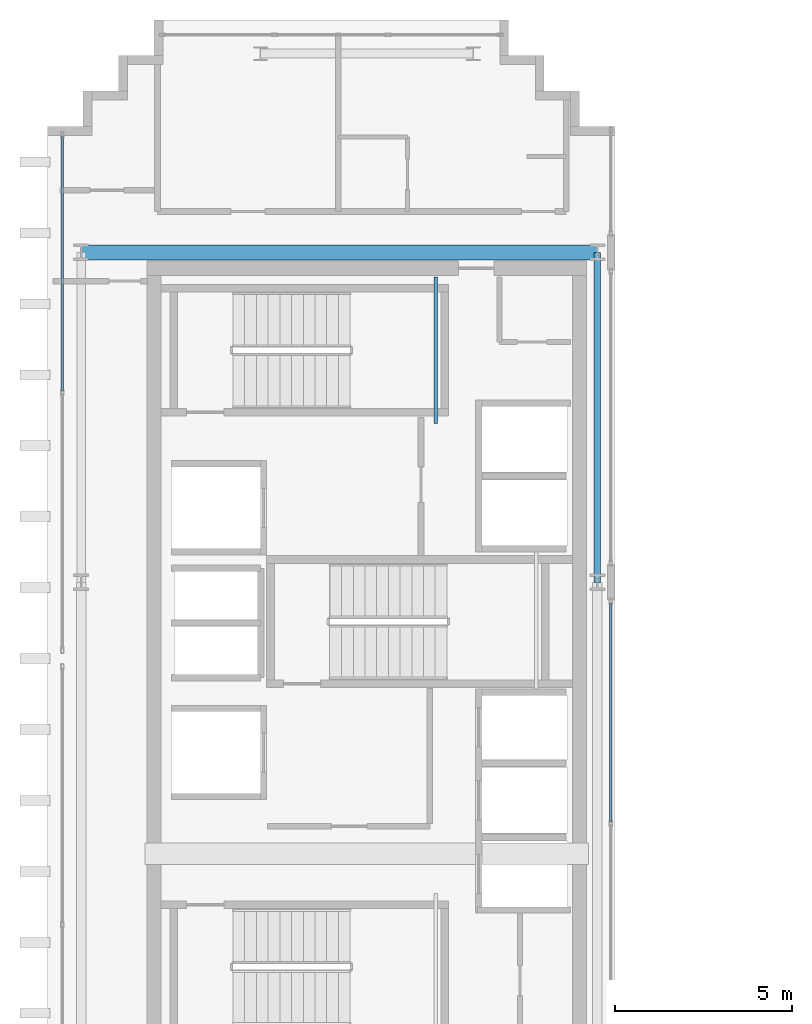
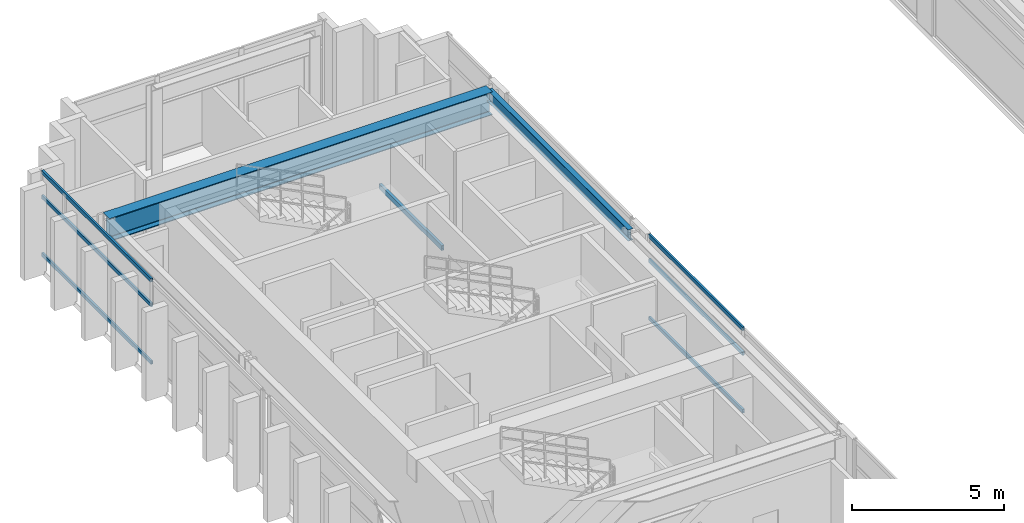
# One storey, part 6 of 25: 6 members, 3 beams, 2 elements without a shape of their own.
"""IFC4 building model written with IfcOpenShell, lengths in metres."""

from ifc_helpers import new_model, si_unit, direction, frame, origin, origin_2d, place, context, subcontext, project, spatial, hollow_rectangle, i_section, extrude, source, transform, mapped, material, layer, layer_set, material_profile, profile_set, type_object, element, aggregate, save


model = new_model("IFC4")

# Units and contexts
model_context = context("Model", 3, precision=1e-05, world=origin(), true_north=direction((0.0, 1.0)))
body_context = subcontext(model_context, "Body", "Model", "MODEL_VIEW")
ifc_project = project(units=[si_unit("LENGTHUNIT", "METRE"), si_unit("AREAUNIT", "SQUARE_METRE"), si_unit("VOLUMEUNIT", "CUBIC_METRE"), si_unit("PLANEANGLEUNIT", "RADIAN"), si_unit("MASSUNIT", "GRAM", prefix="KILO")], contexts=[model_context])

# Site, building, storey
site_placement = place(None, origin())
site = spatial("IfcSite", under=ifc_project, at=site_placement, CompositionType="ELEMENT")
building_placement = place(site_placement, origin())
building = spatial("IfcBuilding", under=site, at=building_placement, Name="Ocotamira Hotel", CompositionType="ELEMENT")
storey_placement = place(building_placement, frame((0.0, 0.0, 261.60009765625)))
storey = spatial("IfcBuildingStorey", under=building, at=storey_placement, Name="L66", CompositionType="ELEMENT", Elevation=261.60009765625)

# Beams
ifc_material_1 = material(Name="Steel ASTM A500 Grade C", Category="steel")
ifc_material_profile_1 = material_profile(ifc_material_1, hollow_rectangle(XDim=0.10009765625, YDim=0.199951171875, WallThickness=0.008056640625, at=origin_2d()), Name="HSS200X100X8")
ifc_profile_set_1 = profile_set([ifc_material_profile_1], Name="Steel ASTM A500 Grade C")
beam_type_1 = type_object("IfcBeamType", Name="BM-STLDG-HSS200", PredefinedType="BEAM", material=ifc_profile_set_1)
shared_shape_1 = source(origin(), body_context, "Body", "SweptSolid", [
    extrude(hollow_rectangle(XDim=0.10009765625, YDim=0.199951171875, WallThickness=0.008056640625, at=origin_2d()), origin(), (0.0, 0.0, 1.0), 4.1201171875),
])
beam_1_placement = place(storey_placement, frame((18.949951171875, 32.6298828125, 1.5), z_axis=(0.0, 1.0, 0.0), x_axis=(-1.0, 0.0, 0.0)))
element("IfcBeam", 1, at=beam_1_placement, inside=storey, type_object=beam_type_1, Name="L66 Stair ST-2 Landing Bearer 1", PredefinedType="BEAM", context=body_context, shape_type="MappedRepresentation", body=[
    mapped(shared_shape_1, transform((0.0, 0.0, 0.0), scale=1.0)),
])
ifc_material_2 = material(Name="Steel ASTM A992 Grade 50", Category="steel")
ifc_material_profile_2 = material_profile(ifc_material_2, i_section(OverallWidth=0.41796875, OverallDepth=0.927001953125, WebThickness=0.019287109375, FlangeThickness=0.031982421875, FilletRadius=0.02392578125, at=origin_2d()), Name="W36X231")
ifc_profile_set_2 = profile_set([ifc_material_profile_2], Name="Steel ASTM A992 Grade 50")
beam_type_2 = type_object("IfcBeamType", Name="BM-GIRD-W36X231", PredefinedType="BEAM", material=ifc_profile_set_2)
shared_shape_2 = source(origin(), body_context, "Body", "SweptSolid", [
    extrude(i_section(OverallWidth=0.41796875, OverallDepth=0.927001953125, WebThickness=0.019287109375, FlangeThickness=0.031982421875, FilletRadius=0.02392578125, at=origin_2d()), origin(), (0.0, 0.0, 1.0), 14.550048828125),
])
beam_2_placement = place(storey_placement, frame((8.949951171875, 37.449951171875, 2.91650390625), z_axis=(1.0, 0.0, 0.0), x_axis=(0.0, 1.0, 0.0)))
element("IfcBeam", 2, at=beam_2_placement, inside=storey, type_object=beam_type_2, Name="L66 Girder Y37.45 X8.95-23.5", PredefinedType="BEAM", context=body_context, shape_type="MappedRepresentation", body=[
    mapped(shared_shape_2, transform((0.0, 0.0, 0.0), scale=1.0)),
])
ifc_material_profile_3 = material_profile(ifc_material_2, i_section(OverallWidth=0.18994140625, OverallDepth=0.45703125, WebThickness=0.009033203125, FlangeThickness=0.014404296875, FilletRadius=0.010009765625, at=origin_2d()), Name="W18X50")
ifc_profile_set_3 = profile_set([ifc_material_profile_3], Name="Steel ASTM A992 Grade 50")
beam_type_3 = type_object("IfcBeamType", Name="BM-SEC-W18X50", PredefinedType="JOIST", material=ifc_profile_set_3)
shared_shape_3 = source(origin(), body_context, "Body", "SweptSolid", [
    extrude(i_section(OverallWidth=0.18994140625, OverallDepth=0.45703125, WebThickness=0.009033203125, FlangeThickness=0.014404296875, FilletRadius=0.010009765625, at=origin_2d()), origin(), (0.0, 0.0, 1.0), 9.300048828125),
])
beam_3_placement = place(storey_placement, frame((23.5, 28.14990234375, 3.1513671875), z_axis=(0.0, 1.0, 0.0), x_axis=(-1.0, 0.0, 0.0)))
element("IfcBeam", 3, at=beam_3_placement, inside=storey, type_object=beam_type_3, Name="L66 Beam X23.5 Y28.15-37.45", PredefinedType="JOIST", context=body_context, shape_type="MappedRepresentation", body=[
    mapped(shared_shape_3, transform((0.0, 0.0, 0.0), scale=1.0)),
])

# Curtain wall, members
ifc_material_3 = material(Name="Anodised pale-metal aluminium and solar glass", Category="aluminium")
ifc_layer = layer(ifc_material_3, 0.2099609375)
ifc_layer_set = layer_set([ifc_layer], Name="Anodised pale-metal aluminium and solar glass")
curtain_wall_type = type_object("IfcCurtainWallType", Name="CW-SYS7-PEAK", PredefinedType="NOTDEFINED", material=ifc_layer_set)
curtain_wall_1_placement = place(storey_placement, origin())
curtain_wall_1 = element("IfcCurtainWall", 4, at=curtain_wall_1_placement, inside=storey, type_object=curtain_wall_type, Name="L66 Curtain Wall CW-7 CW-L66-WO2", PredefinedType="NOTDEFINED")
ifc_material_4 = material(Name="Anodised pale-metal aluminium 6063-T6", Category="aluminium")
ifc_material_profile_4 = material_profile(ifc_material_4, hollow_rectangle(XDim=0.074951171875, YDim=0.14990234375, WallThickness=0.006103515625, at=origin_2d()), Name="HSS150X75X6")
ifc_profile_set_4 = profile_set([ifc_material_profile_4], Name="Anodised pale-metal aluminium 6063-T6")
member_type = type_object("IfcMemberType", Name="CWT-150X75", PredefinedType="USERDEFINED", material=ifc_profile_set_4)
shared_shape_4 = source(origin(), body_context, "Body", "SweptSolid", [
    extrude(hollow_rectangle(XDim=0.074951171875, YDim=0.14990234375, WallThickness=0.006103515625, at=origin_2d()), origin(), (0.0, 0.0, 1.0), 7.179931640625),
])
member_1_placement = place(storey_placement, frame((8.419921875, 33.5400390625, 0.037353515625), z_axis=(0.0, 1.0, 0.0), x_axis=(-1.0, 0.0, 0.0)))
member_1 = element("IfcMember", 5, at=member_1_placement, type_object=member_type, Name="CW-7 transom 2.1", ObjectType="TRANSOM", PredefinedType="USERDEFINED", context=body_context, shape_type="MappedRepresentation", body=[
    mapped(shared_shape_4, transform((0.0, 0.0, 0.0), scale=1.0)),
])
member_2_placement = place(storey_placement, frame((8.419921875, 33.5400390625, 2.349853515625), z_axis=(0.0, 1.0, 0.0), x_axis=(-1.0, 0.0, 0.0)))
member_2 = element("IfcMember", 6, at=member_2_placement, type_object=member_type, Name="CW-7 transom 2.2", ObjectType="TRANSOM", PredefinedType="USERDEFINED", context=body_context, shape_type="MappedRepresentation", body=[
    mapped(shared_shape_4, transform((0.0, 0.0, 0.0), scale=1.0)),
])
member_3_placement = place(storey_placement, frame((8.419921875, 33.5400390625, 3.34228515625), z_axis=(0.0, 1.0, 0.0), x_axis=(-1.0, 0.0, 0.0)))
member_3 = element("IfcMember", 7, at=member_3_placement, type_object=member_type, Name="CW-7 transom 2.3", ObjectType="TRANSOM", PredefinedType="USERDEFINED", context=body_context, shape_type="MappedRepresentation", body=[
    mapped(shared_shape_4, transform((0.0, 0.0, 0.0), scale=1.0)),
])
aggregate(curtain_wall_1, [member_1, member_2, member_3])

curtain_wall_2_placement = place(storey_placement, origin())
curtain_wall_2 = element("IfcCurtainWall", 8, at=curtain_wall_2_placement, inside=storey, type_object=curtain_wall_type, Name="L66 Curtain Wall CW-7 CW-L66-WI2", PredefinedType="NOTDEFINED")
shared_shape_5 = source(origin(), body_context, "Body", "SweptSolid", [
    extrude(hollow_rectangle(XDim=0.074951171875, YDim=0.14990234375, WallThickness=0.006103515625, at=origin_2d()), origin(), (0.0, 0.0, 1.0), 6.18017578125),
])
member_4_placement = place(storey_placement, frame((23.8798828125, 21.389892578125, 0.037353515625), z_axis=(0.0, 1.0, 0.0), x_axis=(-1.0, 0.0, 0.0)))
member_4 = element("IfcMember", 9, at=member_4_placement, type_object=member_type, Name="CW-7 transom 2.1", ObjectType="TRANSOM", PredefinedType="USERDEFINED", context=body_context, shape_type="MappedRepresentation", body=[
    mapped(shared_shape_5, transform((0.0, 0.0, 0.0), scale=1.0)),
])
member_5_placement = place(storey_placement, frame((23.8798828125, 21.389892578125, 2.349853515625), z_axis=(0.0, 1.0, 0.0), x_axis=(-1.0, 0.0, 0.0)))
member_5 = element("IfcMember", 10, at=member_5_placement, type_object=member_type, Name="CW-7 transom 2.2", ObjectType="TRANSOM", PredefinedType="USERDEFINED", context=body_context, shape_type="MappedRepresentation", body=[
    mapped(shared_shape_5, transform((0.0, 0.0, 0.0), scale=1.0)),
])
member_6_placement = place(storey_placement, frame((23.8798828125, 21.389892578125, 3.34228515625), z_axis=(0.0, 1.0, 0.0), x_axis=(-1.0, 0.0, 0.0)))
member_6 = element("IfcMember", 11, at=member_6_placement, type_object=member_type, Name="CW-7 transom 2.3", ObjectType="TRANSOM", PredefinedType="USERDEFINED", context=body_context, shape_type="MappedRepresentation", body=[
    mapped(shared_shape_5, transform((0.0, 0.0, 0.0), scale=1.0)),
])
aggregate(curtain_wall_2, [member_4, member_5, member_6])

save(model, "model.ifc")
